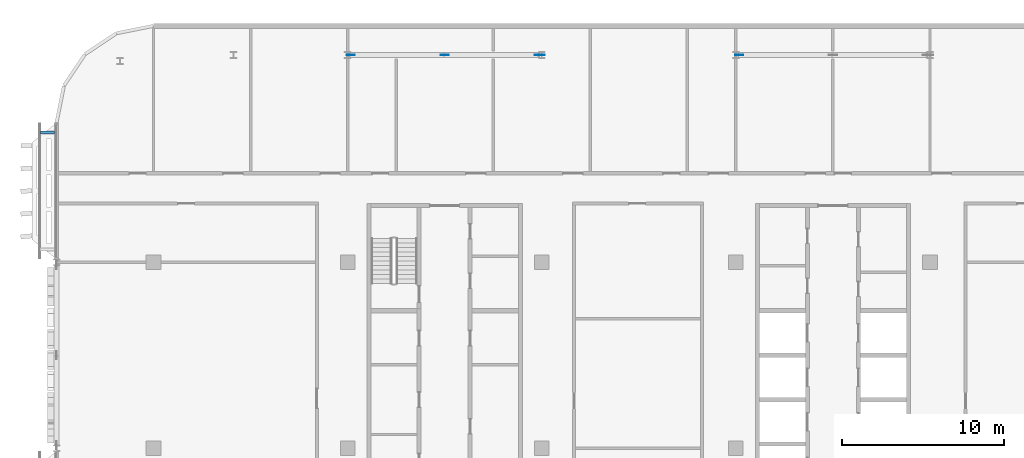
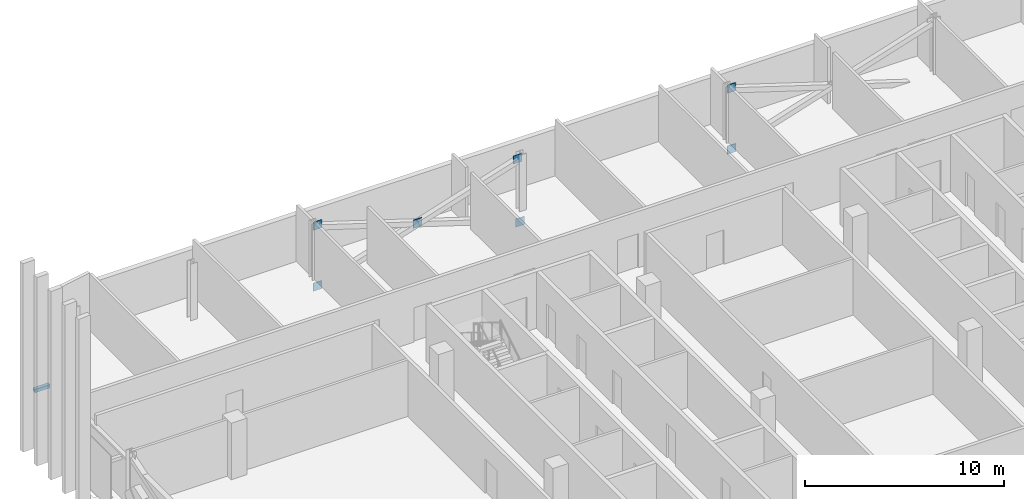
# One storey, part 21 of 30: 8 discrete accessories.
"""IFC4 building model written with IfcOpenShell, lengths in metres."""

from ifc_helpers import new_model, si_unit, direction, frame, origin, origin_2d, place, context, subcontext, project, spatial, rectangle, extrude, material, layer, layer_set, type_object, element, save


model = new_model("IFC4")

# Units and contexts
model_context = context("Model", 3, precision=1e-05, world=origin(), true_north=direction((0.0, 1.0)))
body_context = subcontext(model_context, "Body", "Model", "MODEL_VIEW")
ifc_project = project(units=[si_unit("LENGTHUNIT", "METRE"), si_unit("AREAUNIT", "SQUARE_METRE"), si_unit("VOLUMEUNIT", "CUBIC_METRE"), si_unit("PLANEANGLEUNIT", "RADIAN"), si_unit("MASSUNIT", "GRAM", prefix="KILO")], contexts=[model_context])

# Site, building, storey
site_placement = place(None, origin())
site = spatial("IfcSite", under=ifc_project, at=site_placement, CompositionType="ELEMENT")
building_placement = place(site_placement, origin())
building = spatial("IfcBuilding", under=site, at=building_placement, Name="Mahtab Terrace Research Tower", CompositionType="ELEMENT")
storey_placement = place(building_placement, frame((0.0, 0.0, 263.300048828125)))
storey = spatial("IfcBuildingStorey", under=building, at=storey_placement, Name="L64", CompositionType="ELEMENT", Elevation=263.300048828125)

# Discrete accessories
ifc_material_1 = material(Name="Black anodised aluminium", Category="aluminium")
discrete_accessory_type_1 = type_object("IfcDiscreteAccessoryType", Name="Facade bracket", PredefinedType="BRACKET", material=ifc_material_1)
discrete_accessory_placement = place(storey_placement, frame((-48.5625, 19.511962890625, 2.552734375), z_axis=(0.0, 0.0, 1.0), x_axis=(0.0, -1.0, 0.0)))
element("IfcDiscreteAccessory", 1, at=discrete_accessory_placement, inside=storey, type_object=discrete_accessory_type_1, Name="Screen bracket Girih screen L64 W9", PredefinedType="BRACKET", context=body_context, shape_type="SweptSolid", body=[
    extrude(rectangle(XDim=0.199951171875, YDim=0.875, at=origin_2d()), origin(), (0.0, 0.0, 1.0), 0.199951171875),
])
ifc_material_2 = material(Name="Steel ASTM A992 Gr 50", Category="steel")
ifc_layer = layer(ifc_material_2, 0.030029296875)
ifc_layer_set = layer_set([ifc_layer], Name="Gusset plate 500x500x30")
discrete_accessory_type_2 = type_object("IfcDiscreteAccessoryType", Name="Gusset plate 500x500x30", PredefinedType="USERDEFINED", material=ifc_layer_set)
for number, where, z_axis, x_axis, name in (
    (2, (-29.802978515625, 24.306884765625, -0.831298828125), (0.0, 0.0, 1.0), (1.0, 0.0, 0.0), "Gusset plate"),
    (3, (-29.802978515625, 24.306884765625, 2.906494140625), (0.0, 0.0, 1.0), (1.0, 0.0, 0.0), "Gusset plate"),
    (4, (-24.0, 24.306884765625, 1.00634765625), (0.0, 0.0, 1.0), (1.0, 0.0, 0.0), "Gusset plate"),
    (5, (-18.065673828125, 24.306884765625, -1.004150390625), (0.0, 0.0, 1.0), (1.0, 0.0, 0.0), "Gusset plate"),
    (6, (-18.197021484375, 24.306884765625, 2.906494140625), (0.0, 0.0, 1.0), (1.0, 0.0, 0.0), "Gusset plate"),
    (7, (-5.802978515625, 24.306884765625, -0.831298828125), (0.0, 0.0, 1.0), (1.0, 0.0, 0.0), "Gusset plate"),
    (8, (-5.802978515625, 24.306884765625, 2.906494140625), (0.0, 0.0, 1.0), (1.0, 0.0, 0.0), "Gusset plate"),
):
    element("IfcDiscreteAccessory", number, at=place(storey_placement, frame(where, z_axis=z_axis, x_axis=x_axis)), inside=storey, type_object=discrete_accessory_type_2, Name=name, ObjectType="GUSSET PLATE", PredefinedType="USERDEFINED", context=body_context, shape_type="SweptSolid", body=[
        extrude(rectangle(XDim=0.5, YDim=0.030029296875, at=origin_2d()), origin(), (0.0, 0.0, 1.0), 0.5),
    ])

save(model, "model.ifc")
